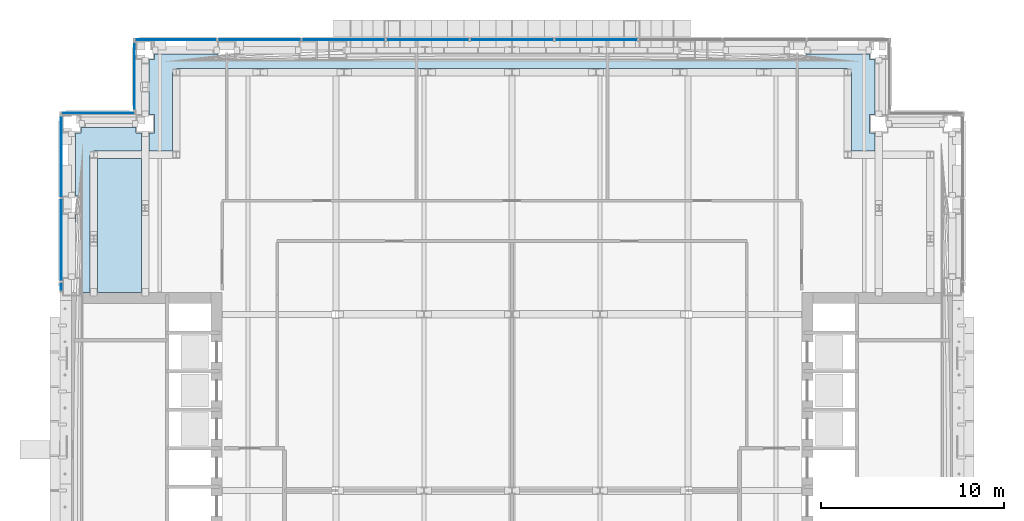
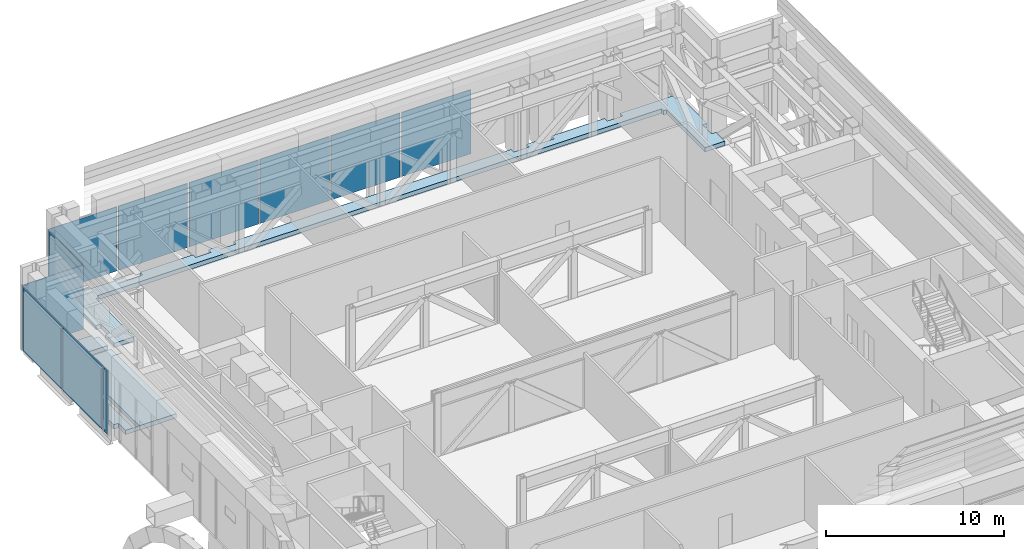
# One storey, part 15 of 39: 11 plates, 2 slabs, 4 elements without a shape of their own.
"""IFC4 building model written with IfcOpenShell, lengths in metres."""

from ifc_helpers import new_model, si_unit, direction, frame, origin, origin_2d, place, context, subcontext, project, spatial, polyline, rectangle, outline, extrude, material, layer, layer_set, type_object, element, aggregate, save


model = new_model("IFC4")

# Units and contexts
model_context = context("Model", 3, precision=1e-05, world=origin(), true_north=direction((0.0, 1.0)))
body_context = subcontext(model_context, "Body", "Model", "MODEL_VIEW")
ifc_project = project(units=[si_unit("LENGTHUNIT", "METRE"), si_unit("AREAUNIT", "SQUARE_METRE"), si_unit("VOLUMEUNIT", "CUBIC_METRE"), si_unit("PLANEANGLEUNIT", "RADIAN"), si_unit("MASSUNIT", "GRAM", prefix="KILO")], contexts=[model_context])

# Site, building, storey
site_placement = place(None, origin())
site = spatial("IfcSite", under=ifc_project, at=site_placement, CompositionType="ELEMENT")
building_placement = place(site_placement, origin())
building = spatial("IfcBuilding", under=site, at=building_placement, Name="Cobrizo Arcos Hotel Tower", CompositionType="ELEMENT")
storey_placement = place(building_placement, frame((0.0, 0.0, 84.5)))
storey = spatial("IfcBuildingStorey", under=building, at=storey_placement, Name="L20", CompositionType="ELEMENT", Elevation=84.5)

# Curtain wall, plates
ifc_material_1 = material(Name="Aluminium 6063-T6 anodised bronze", Category="aluminium")
curtain_wall_type = type_object("IfcCurtainWallType", Name="CW-D plant louvre wall", PredefinedType="NOTDEFINED", material=ifc_material_1)
curtain_wall_1_placement = place(storey_placement, origin())
curtain_wall_1 = element("IfcCurtainWall", 1, at=curtain_wall_1_placement, inside=storey, type_object=curtain_wall_type, Name="CW-D L20 N face", PredefinedType="NOTDEFINED")
ifc_material_2 = material(Name="Aluminium composite panel pale metal", Category="aluminium")
ifc_layer_1 = layer(ifc_material_2, 0.06005859375)
ifc_layer_set_1 = layer_set([ifc_layer_1], Name="CW-D spandrel panel")
plate_type = type_object("IfcPlateType", Name="CW-D spandrel panel", PredefinedType="CURTAIN_PANEL", material=ifc_layer_set_1)
plate_1_placement = place(storey_placement, frame((4.5888671875, 24.574951171875, 0.0), z_axis=(0.0, 0.0, 1.0), x_axis=(-1.0, 0.0, 0.0)))
plate_1 = element("IfcPlate", 2, at=plate_1_placement, type_object=plate_type, Name="CW-D insulated panel 835", PredefinedType="CURTAIN_PANEL", context=body_context, shape_type="SweptSolid", body=[
    extrude(rectangle(XDim=4.48876953125, YDim=0.0400390625, at=origin_2d()), origin(), (0.0, 0.0, 1.0), 4.39990234375),
])
plate_2_placement = place(storey_placement, frame((0.0, 24.574951171875, 0.0), z_axis=(0.0, 0.0, 1.0), x_axis=(-1.0, 0.0, 0.0)))
plate_2 = element("IfcPlate", 3, at=plate_2_placement, type_object=plate_type, Name="CW-D insulated panel 836", PredefinedType="CURTAIN_PANEL", context=body_context, shape_type="SweptSolid", body=[
    extrude(rectangle(XDim=4.48876953125, YDim=0.0400390625, at=origin_2d()), origin(), (0.0, 0.0, 1.0), 4.39990234375),
])
plate_3_placement = place(storey_placement, frame((-4.5888671875, 24.574951171875, 0.0), z_axis=(0.0, 0.0, 1.0), x_axis=(-1.0, 0.0, 0.0)))
plate_3 = element("IfcPlate", 4, at=plate_3_placement, type_object=plate_type, Name="CW-D insulated panel 837", PredefinedType="CURTAIN_PANEL", context=body_context, shape_type="SweptSolid", body=[
    extrude(rectangle(XDim=4.48876953125, YDim=0.0400390625, at=origin_2d()), origin(), (0.0, 0.0, 1.0), 4.39990234375),
])
plate_4_placement = place(storey_placement, frame((-9.177734375, 24.574951171875, 0.0), z_axis=(0.0, 0.0, 1.0), x_axis=(-1.0, 0.0, 0.0)))
plate_4 = element("IfcPlate", 5, at=plate_4_placement, type_object=plate_type, Name="CW-D insulated panel 838", PredefinedType="CURTAIN_PANEL", context=body_context, shape_type="SweptSolid", body=[
    extrude(rectangle(XDim=4.48876953125, YDim=0.0400390625, at=origin_2d()), origin(), (0.0, 0.0, 1.0), 4.39990234375),
])
plate_5_placement = place(storey_placement, frame((-13.7666015625, 24.574951171875, 0.0), z_axis=(0.0, 0.0, 1.0), x_axis=(-1.0, 0.0, 0.0)))
plate_5 = element("IfcPlate", 6, at=plate_5_placement, type_object=plate_type, Name="CW-D insulated panel 839", PredefinedType="CURTAIN_PANEL", context=body_context, shape_type="SweptSolid", body=[
    extrude(rectangle(XDim=4.48876953125, YDim=0.0400390625, at=origin_2d()), origin(), (0.0, 0.0, 1.0), 4.39990234375),
])
plate_6_placement = place(storey_placement, frame((-18.33056640625, 24.574951171875, 0.0), z_axis=(0.0, 0.0, 1.0), x_axis=(-1.0, 0.0, 0.0)))
plate_6 = element("IfcPlate", 7, at=plate_6_placement, type_object=plate_type, Name="CW-D insulated panel 840", PredefinedType="CURTAIN_PANEL", context=body_context, shape_type="SweptSolid", body=[
    extrude(rectangle(XDim=4.43896484375, YDim=0.0400390625, at=origin_2d()), origin(), (0.0, 0.0, 1.0), 4.39990234375),
])
aggregate(curtain_wall_1, [plate_1, plate_2, plate_3, plate_4, plate_5, plate_6])

# Curtain wall, plate
curtain_wall_2_placement = place(storey_placement, origin())
curtain_wall_2 = element("IfcCurtainWall", 8, at=curtain_wall_2_placement, inside=storey, type_object=curtain_wall_type, Name="CW-D L20 W face", PredefinedType="NOTDEFINED")
plate_7_placement = place(storey_placement, frame((-20.574951171875, 22.574951171875, 0.0), z_axis=(0.0, 0.0, 1.0), x_axis=(0.0, -1.0, 0.0)))
plate_7 = element("IfcPlate", 9, at=plate_7_placement, type_object=plate_type, Name="CW-D insulated panel 841", PredefinedType="CURTAIN_PANEL", context=body_context, shape_type="SweptSolid", body=[
    extrude(rectangle(XDim=3.64990234375, YDim=0.0400390625, at=origin_2d()), origin(), (0.0, 0.0, 1.0), 4.39990234375),
])
aggregate(curtain_wall_2, [plate_7])

curtain_wall_3_placement = place(storey_placement, origin())
curtain_wall_3 = element("IfcCurtainWall", 10, at=curtain_wall_3_placement, inside=storey, type_object=curtain_wall_type, Name="CW-D L20 N face", PredefinedType="NOTDEFINED")
plate_8_placement = place(storey_placement, frame((-22.574951171875, 20.574951171875, 0.0), z_axis=(0.0, 0.0, 1.0), x_axis=(-1.0, 0.0, 0.0)))
plate_8 = element("IfcPlate", 11, at=plate_8_placement, type_object=plate_type, Name="CW-D insulated panel 842", PredefinedType="CURTAIN_PANEL", context=body_context, shape_type="SweptSolid", body=[
    extrude(rectangle(XDim=3.949951171875, YDim=0.0400390625, at=origin_2d()), origin(), (0.0, 0.0, 1.0), 4.39990234375),
])
aggregate(curtain_wall_3, [plate_8])

# Curtain wall, plates
curtain_wall_4_placement = place(storey_placement, origin())
curtain_wall_4 = element("IfcCurtainWall", 12, at=curtain_wall_4_placement, inside=storey, type_object=curtain_wall_type, Name="CW-D L20 W face", PredefinedType="NOTDEFINED")
plate_9_placement = place(storey_placement, frame((-24.574951171875, 18.197265625, 0.0), z_axis=(0.0, 0.0, 1.0), x_axis=(0.0, -1.0, 0.0)))
plate_9 = element("IfcPlate", 13, at=plate_9_placement, type_object=plate_type, Name="CW-D insulated panel 843", PredefinedType="CURTAIN_PANEL", context=body_context, shape_type="SweptSolid", body=[
    extrude(rectangle(XDim=4.405517578125, YDim=0.0400390625, at=origin_2d()), origin(), (0.0, 0.0, 1.0), 4.39990234375),
])
plate_10_placement = place(storey_placement, frame((-24.574951171875, 13.666748046875, 0.0), z_axis=(0.0, 0.0, 1.0), x_axis=(0.0, -1.0, 0.0)))
plate_10 = element("IfcPlate", 14, at=plate_10_placement, type_object=plate_type, Name="CW-D insulated panel 844", PredefinedType="CURTAIN_PANEL", context=body_context, shape_type="SweptSolid", body=[
    extrude(rectangle(XDim=4.45556640625, YDim=0.0400390625, at=origin_2d()), origin(), (0.0, 0.0, 1.0), 4.39990234375),
])
plate_11_placement = place(storey_placement, frame((-24.574951171875, 11.119384765625, 0.0), z_axis=(0.0, 0.0, 1.0), x_axis=(0.0, -1.0, 0.0)))
plate_11 = element("IfcPlate", 15, at=plate_11_placement, type_object=plate_type, Name="CW-D insulated panel 845", PredefinedType="CURTAIN_PANEL", context=body_context, shape_type="SweptSolid", body=[
    extrude(rectangle(XDim=0.43896484375, YDim=0.0400390625, at=origin_2d()), origin(), (0.0, 0.0, 1.0), 4.39990234375),
])
aggregate(curtain_wall_4, [plate_9, plate_10, plate_11])

# Slabs
ifc_material_3 = material(Name="Concrete f'c 35 MPa", Category="concrete")
ifc_layer_2 = layer(ifc_material_3, 0.300048828125)
ifc_layer_set_2 = layer_set([ifc_layer_2], Name="Composite floor slab 300 f'c 35")
slab_type = type_object("IfcSlabType", Name="Composite floor slab 300 f'c 35", PredefinedType="FLOOR", material=ifc_layer_set_2)
slab_1_placement = place(storey_placement, frame((0.0, 0.0, -0.300048828125)))
element("IfcSlab", 16, at=slab_1_placement, inside=storey, type_object=slab_type, Name="Floor slab S2, L20, no. 01", PredefinedType="FLOOR", context=body_context, shape_type="SweptSolid", body=[
    extrude(outline(polyline([(-19.5, 23.799560546875), (-16.055908203125, 23.799560546875), (-16.055908203125, 23.5), (-15.055908203125, 23.5), (-15.055908203125, 23.799560546875), (-11.611083984375, 23.799560546875), (-11.611083984375, 23.5), (-10.611083984375, 23.5), (-10.611083984375, 23.799560546875), (-10.0, 23.799560546875), (-10.0, 23.5), (-9.0, 23.5), (-9.0, 23.799560546875), (9.0, 23.799560546875), (9.0, 23.5), (10.0, 23.5), (10.0, 23.799560546875), (10.611083984375, 23.799560546875), (10.611083984375, 23.5), (11.611083984375, 23.5), (11.611083984375, 23.799560546875), (15.055908203125, 23.799560546875), (15.055908203125, 23.5), (16.055908203125, 23.5), (16.055908203125, 23.799560546875), (19.5, 23.799560546875), (19.5, 23.5), (19.799560546875, 23.5), (19.799560546875, 20.5), (19.5, 20.5), (19.5, 19.5), (19.799560546875, 19.5), (19.799560546875, 18.50048828125), (18.50048828125, 18.50048828125), (18.50048828125, 22.800048828125), (18.300048828125, 22.800048828125), (18.300048828125, 23.00048828125), (-18.300048828125, 23.00048828125), (-18.300048828125, 22.800048828125), (-18.50048828125, 22.800048828125), (-18.50048828125, 18.50048828125), (-19.799560546875, 18.50048828125), (-19.799560546875, 19.5), (-19.5, 19.5), (-19.5, 20.5), (-19.799560546875, 20.5), (-19.799560546875, 23.5), (-19.5, 23.5), (-19.5, 23.799560546875)])), origin(), (0.0, 0.0, 1.0), 0.300048828125),
])
slab_2_placement = place(storey_placement, frame((0.0, 0.0, -0.300048828125)))
element("IfcSlab", 17, at=slab_2_placement, inside=storey, type_object=slab_type, Name="Floor slab S2, L20, no. 04", PredefinedType="FLOOR", context=body_context, shape_type="SweptSolid", body=[
    extrude(outline(polyline([(-23.799560546875, 16.055908203125), (-23.799560546875, 19.5), (-23.5, 19.5), (-23.5, 19.799560546875), (-20.5, 19.799560546875), (-20.5, 19.5), (-20.200439453125, 19.5), (-20.200439453125, 18.50048828125), (-22.800048828125, 18.50048828125), (-22.800048828125, 18.300048828125), (-23.00048828125, 18.300048828125), (-23.00048828125, 10.801025390625), (-22.599609375, 10.801025390625), (-22.599609375, 18.099609375), (-20.200439453125, 18.099609375), (-20.200439453125, 10.800048828125), (-23.5, 10.800048828125), (-23.5, 11.611083984375), (-23.799560546875, 11.611083984375), (-23.799560546875, 15.055908203125), (-23.5, 15.055908203125), (-23.5, 16.055908203125), (-23.799560546875, 16.055908203125)])), origin(), (0.0, 0.0, 1.0), 0.300048828125),
])

save(model, "model.ifc")
